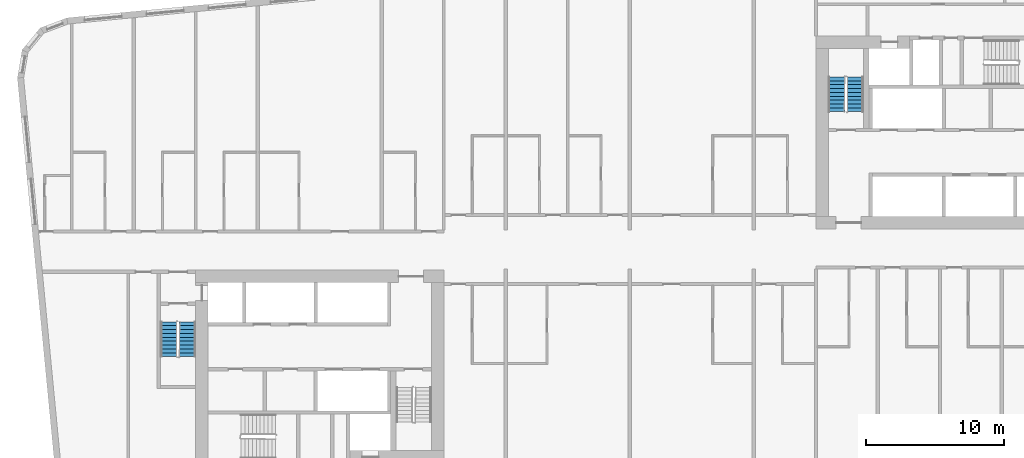
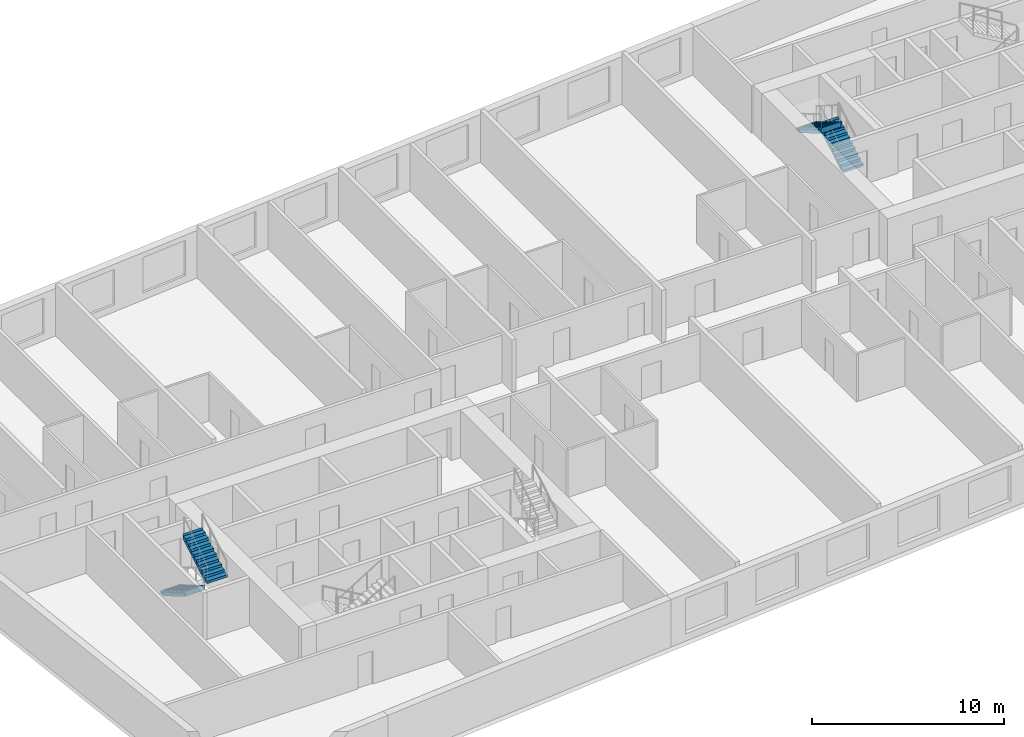
# One storey, part 10 of 12: 4 stair flights, 2 elements without a shape of their own.
"""IFC4 building model written with IfcOpenShell, lengths in metres."""

from ifc_helpers import new_model, si_unit, direction, frame, origin, place, context, subcontext, project, spatial, faceted_brep, material, type_object, element, aggregate, save


model = new_model("IFC4")

# Units and contexts
model_context = context("Model", 3, precision=1e-05, world=origin(), true_north=direction((0.0, 1.0)))
body_context = subcontext(model_context, "Body", "Model", "MODEL_VIEW")
ifc_project = project(units=[si_unit("LENGTHUNIT", "METRE"), si_unit("AREAUNIT", "SQUARE_METRE"), si_unit("VOLUMEUNIT", "CUBIC_METRE"), si_unit("PLANEANGLEUNIT", "RADIAN"), si_unit("MASSUNIT", "GRAM", prefix="KILO")], contexts=[model_context])

# Site, building, storey
site_placement = place(None, origin())
site = spatial("IfcSite", under=ifc_project, at=site_placement, CompositionType="ELEMENT")
building_placement = place(site_placement, origin())
building = spatial("IfcBuilding", under=site, at=building_placement, Name="Kajstack Hotel Tower", CompositionType="ELEMENT")
storey_placement = place(building_placement, frame((0.0, 0.0, 170.199951171875)))
storey = spatial("IfcBuildingStorey", under=building, at=storey_placement, Name="L39", CompositionType="ELEMENT", Elevation=170.199951171875)

# Stair, stair flights
ifc_material = material(Name="Concrete C40/50", Category="concrete")
stair_type = type_object("IfcStairType", Name="Exit stair 1200", PredefinedType="HALF_TURN_STAIR", material=ifc_material)
stair_1_placement = place(storey_placement, origin())
stair_1 = element("IfcStair", 1, at=stair_1_placement, inside=storey, type_object=stair_type, Name="L39 stair W1", PredefinedType="HALF_TURN_STAIR")
stair_flight_type = type_object("IfcStairFlightType", Name="Exit stair flight 1200", PredefinedType="STRAIGHT", material=ifc_material)
stair_flight_1_placement = place(storey_placement, frame((-33.449951171875, -5.25, 0.0), z_axis=(0.0, 0.0, 1.0), x_axis=(0.0, -1.0, 0.0)))
stair_flight_1 = element("IfcStairFlight", 2, at=stair_flight_1_placement, type_object=stair_flight_type, Name="W1 flight 1", NumberOfRisers=10, NumberOfTreads=9, PredefinedType="STRAIGHT", RiserHeight=0.165, TreadLength=0.28, context=body_context, shape_type="Brep", body=[
    faceted_brep([(0.295654296875, -0.60009765625, 0.0), (2.5205078125, -0.60009765625, 1.31103515625), (2.5205078125, -0.60009765625, 1.64990234375), (2.52001953125, -0.60009765625, 1.64990234375), (2.52001953125, -0.60009765625, 1.485107421875), (2.239990234375, -0.60009765625, 1.485107421875), (2.239990234375, -0.60009765625, 1.320068359375), (1.9599609375, -0.60009765625, 1.320068359375), (1.9599609375, -0.60009765625, 1.155029296875), (1.679931640625, -0.60009765625, 1.155029296875), (1.679931640625, -0.60009765625, 0.989990234375), (1.39990234375, -0.60009765625, 0.989990234375), (1.39990234375, -0.60009765625, 0.824951171875), (1.1201171875, -0.60009765625, 0.824951171875), (1.1201171875, -0.60009765625, 0.659912109375), (0.840087890625, -0.60009765625, 0.659912109375), (0.840087890625, -0.60009765625, 0.4951171875), (0.56005859375, -0.60009765625, 0.4951171875), (0.56005859375, -0.60009765625, 0.330078125), (0.280029296875, -0.60009765625, 0.330078125), (0.280029296875, -0.60009765625, 0.1650390625), (-0.00048828125, -0.60009765625, 0.1650390625), (-0.00048828125, -0.60009765625, 0.0), (-0.00048828125, 0.60009765625, 0.0), (-0.00048828125, 0.60009765625, 0.1650390625), (0.280029296875, 0.60009765625, 0.1650390625), (0.280029296875, 0.60009765625, 0.330078125), (0.56005859375, 0.60009765625, 0.330078125), (0.56005859375, 0.60009765625, 0.4951171875), (0.840087890625, 0.60009765625, 0.4951171875), (0.840087890625, 0.60009765625, 0.659912109375), (1.1201171875, 0.60009765625, 0.659912109375), (1.1201171875, 0.60009765625, 0.824951171875), (1.39990234375, 0.60009765625, 0.824951171875), (1.39990234375, 0.60009765625, 0.989990234375), (1.679931640625, 0.60009765625, 0.989990234375), (1.679931640625, 0.60009765625, 1.155029296875), (1.9599609375, 0.60009765625, 1.155029296875), (1.9599609375, 0.60009765625, 1.320068359375), (2.239990234375, 0.60009765625, 1.320068359375), (2.239990234375, 0.60009765625, 1.485107421875), (2.52001953125, 0.60009765625, 1.485107421875), (2.52001953125, 0.60009765625, 1.64990234375), (2.5205078125, 0.60009765625, 1.64990234375), (2.5205078125, 0.60009765625, 1.31103515625), (0.295654296875, 0.60009765625, 0.0), (-0.00048828125, -0.300048828125, 0.1650390625), (-0.00048828125, 0.0, 0.1650390625), (-0.00048828125, 0.300048828125, 0.1650390625), (-0.00048828125, 0.300048828125, 0.0), (-0.00048828125, 0.0, 0.0), (-0.00048828125, -0.300048828125, 0.0), (0.280029296875, -0.300048828125, 0.1650390625), (0.280029296875, 0.0, 0.1650390625), (0.280029296875, 0.300048828125, 0.1650390625), (0.280029296875, -0.300048828125, 0.330078125), (0.280029296875, 0.0, 0.330078125), (0.280029296875, 0.300048828125, 0.330078125), (0.56005859375, -0.300048828125, 0.330078125), (0.56005859375, 0.0, 0.330078125), (0.56005859375, 0.300048828125, 0.330078125), (0.56005859375, -0.300048828125, 0.4951171875), (0.56005859375, 0.0, 0.4951171875), (0.56005859375, 0.300048828125, 0.4951171875), (0.840087890625, -0.300048828125, 0.4951171875), (0.840087890625, 0.0, 0.4951171875), (0.840087890625, 0.300048828125, 0.4951171875), (0.840087890625, -0.300048828125, 0.659912109375), (0.840087890625, 0.0, 0.659912109375), (0.840087890625, 0.300048828125, 0.659912109375), (1.1201171875, -0.300048828125, 0.659912109375), (1.1201171875, 0.0, 0.659912109375), (1.1201171875, 0.300048828125, 0.659912109375), (1.1201171875, -0.300048828125, 0.824951171875), (1.1201171875, 0.0, 0.824951171875), (1.1201171875, 0.300048828125, 0.824951171875), (1.39990234375, -0.300048828125, 0.824951171875), (1.39990234375, 0.0, 0.824951171875), (1.39990234375, 0.300048828125, 0.824951171875), (1.39990234375, -0.300048828125, 0.989990234375), (1.39990234375, 0.0, 0.989990234375), (1.39990234375, 0.300048828125, 0.989990234375), (1.679931640625, -0.300048828125, 0.989990234375), (1.679931640625, 0.0, 0.989990234375), (1.679931640625, 0.300048828125, 0.989990234375), (1.679931640625, -0.300048828125, 1.155029296875), (1.679931640625, 0.0, 1.155029296875), (1.679931640625, 0.300048828125, 1.155029296875), (1.9599609375, -0.300048828125, 1.155029296875), (1.9599609375, 0.0, 1.155029296875), (1.9599609375, 0.300048828125, 1.155029296875), (1.9599609375, -0.300048828125, 1.320068359375), (1.9599609375, 0.0, 1.320068359375), (1.9599609375, 0.300048828125, 1.320068359375), (2.239990234375, -0.300048828125, 1.320068359375), (2.239990234375, 0.0, 1.320068359375), (2.239990234375, 0.300048828125, 1.320068359375), (2.239990234375, -0.300048828125, 1.485107421875), (2.239990234375, 0.0, 1.485107421875), (2.239990234375, 0.300048828125, 1.485107421875), (2.52001953125, -0.300048828125, 1.485107421875), (2.52001953125, 0.0, 1.485107421875), (2.52001953125, 0.300048828125, 1.485107421875), (2.52001953125, -0.300048828125, 1.64990234375), (2.52001953125, 0.0, 1.64990234375), (2.52001953125, 0.300048828125, 1.64990234375), (2.5205078125, -0.300048828125, 1.64990234375), (2.5205078125, 0.0, 1.64990234375), (2.5205078125, 0.300048828125, 1.64990234375), (2.5205078125, -0.300048828125, 1.31103515625), (2.5205078125, 0.0, 1.31103515625), (2.5205078125, 0.300048828125, 1.31103515625), (0.295654296875, -0.300048828125, 0.0), (0.295654296875, 0.0, 0.0), (0.295654296875, 0.300048828125, 0.0)], [[[0, 1, 2, 3, 4, 5, 6, 7, 8, 9, 10, 11, 12, 13, 14, 15, 16, 17, 18, 19, 20, 21, 22]], [[23, 24, 25, 26, 27, 28, 29, 30, 31, 32, 33, 34, 35, 36, 37, 38, 39, 40, 41, 42, 43, 44, 45]], [[21, 46, 47, 48, 24, 23, 49, 50, 51, 22]], [[20, 52, 53, 54, 25, 24, 48, 47, 46, 21]], [[19, 55, 56, 57, 26, 25, 54, 53, 52, 20]], [[18, 58, 59, 60, 27, 26, 57, 56, 55, 19]], [[17, 61, 62, 63, 28, 27, 60, 59, 58, 18]], [[16, 64, 65, 66, 29, 28, 63, 62, 61, 17]], [[15, 67, 68, 69, 30, 29, 66, 65, 64, 16]], [[14, 70, 71, 72, 31, 30, 69, 68, 67, 15]], [[13, 73, 74, 75, 32, 31, 72, 71, 70, 14]], [[12, 76, 77, 78, 33, 32, 75, 74, 73, 13]], [[11, 79, 80, 81, 34, 33, 78, 77, 76, 12]], [[10, 82, 83, 84, 35, 34, 81, 80, 79, 11]], [[9, 85, 86, 87, 36, 35, 84, 83, 82, 10]], [[8, 88, 89, 90, 37, 36, 87, 86, 85, 9]], [[7, 91, 92, 93, 38, 37, 90, 89, 88, 8]], [[6, 94, 95, 96, 39, 38, 93, 92, 91, 7]], [[5, 97, 98, 99, 40, 39, 96, 95, 94, 6]], [[4, 100, 101, 102, 41, 40, 99, 98, 97, 5]], [[3, 103, 104, 105, 42, 41, 102, 101, 100, 4]], [[2, 106, 107, 108, 43, 42, 105, 104, 103, 3]], [[1, 109, 110, 111, 44, 43, 108, 107, 106, 2]], [[0, 112, 113, 114, 45, 44, 111, 110, 109, 1]], [[22, 51, 50, 49, 23, 45, 114, 113, 112, 0]]]),
])
stair_flight_2_placement = place(storey_placement, frame((-32.10009765625, -7.77001953125, 1.650146484375), z_axis=(0.0, 0.0, 1.0), x_axis=(0.0, 1.0, 0.0)))
stair_flight_2 = element("IfcStairFlight", 3, at=stair_flight_2_placement, type_object=stair_flight_type, Name="W1 flight 2", NumberOfRisers=10, NumberOfTreads=9, PredefinedType="STRAIGHT", RiserHeight=0.165, TreadLength=0.28, context=body_context, shape_type="Brep", body=[
    faceted_brep([(0.295654296875, -0.60009765625, 0.0), (2.5205078125, -0.60009765625, 1.31103515625), (2.5205078125, -0.60009765625, 1.64990234375), (2.52001953125, -0.60009765625, 1.64990234375), (2.52001953125, -0.60009765625, 1.485107421875), (2.239990234375, -0.60009765625, 1.485107421875), (2.239990234375, -0.60009765625, 1.320068359375), (1.9599609375, -0.60009765625, 1.320068359375), (1.9599609375, -0.60009765625, 1.155029296875), (1.679931640625, -0.60009765625, 1.155029296875), (1.679931640625, -0.60009765625, 0.989990234375), (1.39990234375, -0.60009765625, 0.989990234375), (1.39990234375, -0.60009765625, 0.824951171875), (1.1201171875, -0.60009765625, 0.824951171875), (1.1201171875, -0.60009765625, 0.659912109375), (0.840087890625, -0.60009765625, 0.659912109375), (0.840087890625, -0.60009765625, 0.4951171875), (0.56005859375, -0.60009765625, 0.4951171875), (0.56005859375, -0.60009765625, 0.330078125), (0.280029296875, -0.60009765625, 0.330078125), (0.280029296875, -0.60009765625, 0.1650390625), (-0.00048828125, -0.60009765625, 0.1650390625), (-0.00048828125, -0.60009765625, 0.0), (-0.00048828125, 0.60009765625, 0.0), (-0.00048828125, 0.60009765625, 0.1650390625), (0.280029296875, 0.60009765625, 0.1650390625), (0.280029296875, 0.60009765625, 0.330078125), (0.56005859375, 0.60009765625, 0.330078125), (0.56005859375, 0.60009765625, 0.4951171875), (0.840087890625, 0.60009765625, 0.4951171875), (0.840087890625, 0.60009765625, 0.659912109375), (1.1201171875, 0.60009765625, 0.659912109375), (1.1201171875, 0.60009765625, 0.824951171875), (1.39990234375, 0.60009765625, 0.824951171875), (1.39990234375, 0.60009765625, 0.989990234375), (1.679931640625, 0.60009765625, 0.989990234375), (1.679931640625, 0.60009765625, 1.155029296875), (1.9599609375, 0.60009765625, 1.155029296875), (1.9599609375, 0.60009765625, 1.320068359375), (2.239990234375, 0.60009765625, 1.320068359375), (2.239990234375, 0.60009765625, 1.485107421875), (2.52001953125, 0.60009765625, 1.485107421875), (2.52001953125, 0.60009765625, 1.64990234375), (2.5205078125, 0.60009765625, 1.64990234375), (2.5205078125, 0.60009765625, 1.31103515625), (0.295654296875, 0.60009765625, 0.0), (-0.00048828125, -0.300048828125, 0.1650390625), (-0.00048828125, 0.0, 0.1650390625), (-0.00048828125, 0.300048828125, 0.1650390625), (-0.00048828125, 0.300048828125, 0.0), (-0.00048828125, 0.0, 0.0), (-0.00048828125, -0.300048828125, 0.0), (0.280029296875, -0.300048828125, 0.1650390625), (0.280029296875, 0.0, 0.1650390625), (0.280029296875, 0.300048828125, 0.1650390625), (0.280029296875, -0.300048828125, 0.330078125), (0.280029296875, 0.0, 0.330078125), (0.280029296875, 0.300048828125, 0.330078125), (0.56005859375, -0.300048828125, 0.330078125), (0.56005859375, 0.0, 0.330078125), (0.56005859375, 0.300048828125, 0.330078125), (0.56005859375, -0.300048828125, 0.4951171875), (0.56005859375, 0.0, 0.4951171875), (0.56005859375, 0.300048828125, 0.4951171875), (0.840087890625, -0.300048828125, 0.4951171875), (0.840087890625, 0.0, 0.4951171875), (0.840087890625, 0.300048828125, 0.4951171875), (0.840087890625, -0.300048828125, 0.659912109375), (0.840087890625, 0.0, 0.659912109375), (0.840087890625, 0.300048828125, 0.659912109375), (1.1201171875, -0.300048828125, 0.659912109375), (1.1201171875, 0.0, 0.659912109375), (1.1201171875, 0.300048828125, 0.659912109375), (1.1201171875, -0.300048828125, 0.824951171875), (1.1201171875, 0.0, 0.824951171875), (1.1201171875, 0.300048828125, 0.824951171875), (1.39990234375, -0.300048828125, 0.824951171875), (1.39990234375, 0.0, 0.824951171875), (1.39990234375, 0.300048828125, 0.824951171875), (1.39990234375, -0.300048828125, 0.989990234375), (1.39990234375, 0.0, 0.989990234375), (1.39990234375, 0.300048828125, 0.989990234375), (1.679931640625, -0.300048828125, 0.989990234375), (1.679931640625, 0.0, 0.989990234375), (1.679931640625, 0.300048828125, 0.989990234375), (1.679931640625, -0.300048828125, 1.155029296875), (1.679931640625, 0.0, 1.155029296875), (1.679931640625, 0.300048828125, 1.155029296875), (1.9599609375, -0.300048828125, 1.155029296875), (1.9599609375, 0.0, 1.155029296875), (1.9599609375, 0.300048828125, 1.155029296875), (1.9599609375, -0.300048828125, 1.320068359375), (1.9599609375, 0.0, 1.320068359375), (1.9599609375, 0.300048828125, 1.320068359375), (2.239990234375, -0.300048828125, 1.320068359375), (2.239990234375, 0.0, 1.320068359375), (2.239990234375, 0.300048828125, 1.320068359375), (2.239990234375, -0.300048828125, 1.485107421875), (2.239990234375, 0.0, 1.485107421875), (2.239990234375, 0.300048828125, 1.485107421875), (2.52001953125, -0.300048828125, 1.485107421875), (2.52001953125, 0.0, 1.485107421875), (2.52001953125, 0.300048828125, 1.485107421875), (2.52001953125, -0.300048828125, 1.64990234375), (2.52001953125, 0.0, 1.64990234375), (2.52001953125, 0.300048828125, 1.64990234375), (2.5205078125, -0.300048828125, 1.64990234375), (2.5205078125, 0.0, 1.64990234375), (2.5205078125, 0.300048828125, 1.64990234375), (2.5205078125, -0.300048828125, 1.31103515625), (2.5205078125, 0.0, 1.31103515625), (2.5205078125, 0.300048828125, 1.31103515625), (0.295654296875, -0.300048828125, 0.0), (0.295654296875, 0.0, 0.0), (0.295654296875, 0.300048828125, 0.0)], [[[0, 1, 2, 3, 4, 5, 6, 7, 8, 9, 10, 11, 12, 13, 14, 15, 16, 17, 18, 19, 20, 21, 22]], [[23, 24, 25, 26, 27, 28, 29, 30, 31, 32, 33, 34, 35, 36, 37, 38, 39, 40, 41, 42, 43, 44, 45]], [[21, 46, 47, 48, 24, 23, 49, 50, 51, 22]], [[20, 52, 53, 54, 25, 24, 48, 47, 46, 21]], [[19, 55, 56, 57, 26, 25, 54, 53, 52, 20]], [[18, 58, 59, 60, 27, 26, 57, 56, 55, 19]], [[17, 61, 62, 63, 28, 27, 60, 59, 58, 18]], [[16, 64, 65, 66, 29, 28, 63, 62, 61, 17]], [[15, 67, 68, 69, 30, 29, 66, 65, 64, 16]], [[14, 70, 71, 72, 31, 30, 69, 68, 67, 15]], [[13, 73, 74, 75, 32, 31, 72, 71, 70, 14]], [[12, 76, 77, 78, 33, 32, 75, 74, 73, 13]], [[11, 79, 80, 81, 34, 33, 78, 77, 76, 12]], [[10, 82, 83, 84, 35, 34, 81, 80, 79, 11]], [[9, 85, 86, 87, 36, 35, 84, 83, 82, 10]], [[8, 88, 89, 90, 37, 36, 87, 86, 85, 9]], [[7, 91, 92, 93, 38, 37, 90, 89, 88, 8]], [[6, 94, 95, 96, 39, 38, 93, 92, 91, 7]], [[5, 97, 98, 99, 40, 39, 96, 95, 94, 6]], [[4, 100, 101, 102, 41, 40, 99, 98, 97, 5]], [[3, 103, 104, 105, 42, 41, 102, 101, 100, 4]], [[2, 106, 107, 108, 43, 42, 105, 104, 103, 3]], [[1, 109, 110, 111, 44, 43, 108, 107, 106, 2]], [[0, 112, 113, 114, 45, 44, 111, 110, 109, 1]], [[22, 51, 50, 49, 23, 45, 114, 113, 112, 0]]]),
])
aggregate(stair_1, [stair_flight_1, stair_flight_2])

stair_2_placement = place(storey_placement, origin())
stair_2 = element("IfcStair", 4, at=stair_2_placement, inside=storey, type_object=stair_type, Name="L39 stair E2", PredefinedType="HALF_TURN_STAIR")
stair_flight_3_placement = place(storey_placement, frame((16.35009765625, 10.0, 0.0), z_axis=(0.0, 0.0, 1.0), x_axis=(0.0, 1.0, 0.0)))
stair_flight_3 = element("IfcStairFlight", 5, at=stair_flight_3_placement, type_object=stair_flight_type, Name="E2 flight 1", NumberOfRisers=10, NumberOfTreads=9, PredefinedType="STRAIGHT", RiserHeight=0.165, TreadLength=0.28, context=body_context, shape_type="Brep", body=[
    faceted_brep([(0.295654296875, -0.60009765625, 0.0), (2.5205078125, -0.60009765625, 1.31103515625), (2.5205078125, -0.60009765625, 1.64990234375), (2.52001953125, -0.60009765625, 1.64990234375), (2.52001953125, -0.60009765625, 1.485107421875), (2.239990234375, -0.60009765625, 1.485107421875), (2.239990234375, -0.60009765625, 1.320068359375), (1.9599609375, -0.60009765625, 1.320068359375), (1.9599609375, -0.60009765625, 1.155029296875), (1.679931640625, -0.60009765625, 1.155029296875), (1.679931640625, -0.60009765625, 0.989990234375), (1.39990234375, -0.60009765625, 0.989990234375), (1.39990234375, -0.60009765625, 0.824951171875), (1.1201171875, -0.60009765625, 0.824951171875), (1.1201171875, -0.60009765625, 0.659912109375), (0.840087890625, -0.60009765625, 0.659912109375), (0.840087890625, -0.60009765625, 0.4951171875), (0.56005859375, -0.60009765625, 0.4951171875), (0.56005859375, -0.60009765625, 0.330078125), (0.280029296875, -0.60009765625, 0.330078125), (0.280029296875, -0.60009765625, 0.1650390625), (-0.00048828125, -0.60009765625, 0.1650390625), (-0.00048828125, -0.60009765625, 0.0), (-0.00048828125, 0.60009765625, 0.0), (-0.00048828125, 0.60009765625, 0.1650390625), (0.280029296875, 0.60009765625, 0.1650390625), (0.280029296875, 0.60009765625, 0.330078125), (0.56005859375, 0.60009765625, 0.330078125), (0.56005859375, 0.60009765625, 0.4951171875), (0.840087890625, 0.60009765625, 0.4951171875), (0.840087890625, 0.60009765625, 0.659912109375), (1.1201171875, 0.60009765625, 0.659912109375), (1.1201171875, 0.60009765625, 0.824951171875), (1.39990234375, 0.60009765625, 0.824951171875), (1.39990234375, 0.60009765625, 0.989990234375), (1.679931640625, 0.60009765625, 0.989990234375), (1.679931640625, 0.60009765625, 1.155029296875), (1.9599609375, 0.60009765625, 1.155029296875), (1.9599609375, 0.60009765625, 1.320068359375), (2.239990234375, 0.60009765625, 1.320068359375), (2.239990234375, 0.60009765625, 1.485107421875), (2.52001953125, 0.60009765625, 1.485107421875), (2.52001953125, 0.60009765625, 1.64990234375), (2.5205078125, 0.60009765625, 1.64990234375), (2.5205078125, 0.60009765625, 1.31103515625), (0.295654296875, 0.60009765625, 0.0), (-0.00048828125, -0.300048828125, 0.1650390625), (-0.00048828125, 0.0, 0.1650390625), (-0.00048828125, 0.300048828125, 0.1650390625), (-0.00048828125, 0.300048828125, 0.0), (-0.00048828125, 0.0, 0.0), (-0.00048828125, -0.300048828125, 0.0), (0.280029296875, -0.300048828125, 0.1650390625), (0.280029296875, 0.0, 0.1650390625), (0.280029296875, 0.300048828125, 0.1650390625), (0.280029296875, -0.300048828125, 0.330078125), (0.280029296875, 0.0, 0.330078125), (0.280029296875, 0.300048828125, 0.330078125), (0.56005859375, -0.300048828125, 0.330078125), (0.56005859375, 0.0, 0.330078125), (0.56005859375, 0.300048828125, 0.330078125), (0.56005859375, -0.300048828125, 0.4951171875), (0.56005859375, 0.0, 0.4951171875), (0.56005859375, 0.300048828125, 0.4951171875), (0.840087890625, -0.300048828125, 0.4951171875), (0.840087890625, 0.0, 0.4951171875), (0.840087890625, 0.300048828125, 0.4951171875), (0.840087890625, -0.300048828125, 0.659912109375), (0.840087890625, 0.0, 0.659912109375), (0.840087890625, 0.300048828125, 0.659912109375), (1.1201171875, -0.300048828125, 0.659912109375), (1.1201171875, 0.0, 0.659912109375), (1.1201171875, 0.300048828125, 0.659912109375), (1.1201171875, -0.300048828125, 0.824951171875), (1.1201171875, 0.0, 0.824951171875), (1.1201171875, 0.300048828125, 0.824951171875), (1.39990234375, -0.300048828125, 0.824951171875), (1.39990234375, 0.0, 0.824951171875), (1.39990234375, 0.300048828125, 0.824951171875), (1.39990234375, -0.300048828125, 0.989990234375), (1.39990234375, 0.0, 0.989990234375), (1.39990234375, 0.300048828125, 0.989990234375), (1.679931640625, -0.300048828125, 0.989990234375), (1.679931640625, 0.0, 0.989990234375), (1.679931640625, 0.300048828125, 0.989990234375), (1.679931640625, -0.300048828125, 1.155029296875), (1.679931640625, 0.0, 1.155029296875), (1.679931640625, 0.300048828125, 1.155029296875), (1.9599609375, -0.300048828125, 1.155029296875), (1.9599609375, 0.0, 1.155029296875), (1.9599609375, 0.300048828125, 1.155029296875), (1.9599609375, -0.300048828125, 1.320068359375), (1.9599609375, 0.0, 1.320068359375), (1.9599609375, 0.300048828125, 1.320068359375), (2.239990234375, -0.300048828125, 1.320068359375), (2.239990234375, 0.0, 1.320068359375), (2.239990234375, 0.300048828125, 1.320068359375), (2.239990234375, -0.300048828125, 1.485107421875), (2.239990234375, 0.0, 1.485107421875), (2.239990234375, 0.300048828125, 1.485107421875), (2.52001953125, -0.300048828125, 1.485107421875), (2.52001953125, 0.0, 1.485107421875), (2.52001953125, 0.300048828125, 1.485107421875), (2.52001953125, -0.300048828125, 1.64990234375), (2.52001953125, 0.0, 1.64990234375), (2.52001953125, 0.300048828125, 1.64990234375), (2.5205078125, -0.300048828125, 1.64990234375), (2.5205078125, 0.0, 1.64990234375), (2.5205078125, 0.300048828125, 1.64990234375), (2.5205078125, -0.300048828125, 1.31103515625), (2.5205078125, 0.0, 1.31103515625), (2.5205078125, 0.300048828125, 1.31103515625), (0.295654296875, -0.300048828125, 0.0), (0.295654296875, 0.0, 0.0), (0.295654296875, 0.300048828125, 0.0)], [[[0, 1, 2, 3, 4, 5, 6, 7, 8, 9, 10, 11, 12, 13, 14, 15, 16, 17, 18, 19, 20, 21, 22]], [[23, 24, 25, 26, 27, 28, 29, 30, 31, 32, 33, 34, 35, 36, 37, 38, 39, 40, 41, 42, 43, 44, 45]], [[21, 46, 47, 48, 24, 23, 49, 50, 51, 22]], [[20, 52, 53, 54, 25, 24, 48, 47, 46, 21]], [[19, 55, 56, 57, 26, 25, 54, 53, 52, 20]], [[18, 58, 59, 60, 27, 26, 57, 56, 55, 19]], [[17, 61, 62, 63, 28, 27, 60, 59, 58, 18]], [[16, 64, 65, 66, 29, 28, 63, 62, 61, 17]], [[15, 67, 68, 69, 30, 29, 66, 65, 64, 16]], [[14, 70, 71, 72, 31, 30, 69, 68, 67, 15]], [[13, 73, 74, 75, 32, 31, 72, 71, 70, 14]], [[12, 76, 77, 78, 33, 32, 75, 74, 73, 13]], [[11, 79, 80, 81, 34, 33, 78, 77, 76, 12]], [[10, 82, 83, 84, 35, 34, 81, 80, 79, 11]], [[9, 85, 86, 87, 36, 35, 84, 83, 82, 10]], [[8, 88, 89, 90, 37, 36, 87, 86, 85, 9]], [[7, 91, 92, 93, 38, 37, 90, 89, 88, 8]], [[6, 94, 95, 96, 39, 38, 93, 92, 91, 7]], [[5, 97, 98, 99, 40, 39, 96, 95, 94, 6]], [[4, 100, 101, 102, 41, 40, 99, 98, 97, 5]], [[3, 103, 104, 105, 42, 41, 102, 101, 100, 4]], [[2, 106, 107, 108, 43, 42, 105, 104, 103, 3]], [[1, 109, 110, 111, 44, 43, 108, 107, 106, 2]], [[0, 112, 113, 114, 45, 44, 111, 110, 109, 1]], [[22, 51, 50, 49, 23, 45, 114, 113, 112, 0]]]),
])
stair_flight_4_placement = place(storey_placement, frame((15.0, 12.52001953125, 1.650146484375), z_axis=(0.0, 0.0, 1.0), x_axis=(0.0, -1.0, 0.0)))
stair_flight_4 = element("IfcStairFlight", 6, at=stair_flight_4_placement, type_object=stair_flight_type, Name="E2 flight 2", NumberOfRisers=10, NumberOfTreads=9, PredefinedType="STRAIGHT", RiserHeight=0.165, TreadLength=0.28, context=body_context, shape_type="Brep", body=[
    faceted_brep([(0.295654296875, -0.60009765625, 0.0), (2.5205078125, -0.60009765625, 1.31103515625), (2.5205078125, -0.60009765625, 1.64990234375), (2.52001953125, -0.60009765625, 1.64990234375), (2.52001953125, -0.60009765625, 1.485107421875), (2.239990234375, -0.60009765625, 1.485107421875), (2.239990234375, -0.60009765625, 1.320068359375), (1.9599609375, -0.60009765625, 1.320068359375), (1.9599609375, -0.60009765625, 1.155029296875), (1.679931640625, -0.60009765625, 1.155029296875), (1.679931640625, -0.60009765625, 0.989990234375), (1.39990234375, -0.60009765625, 0.989990234375), (1.39990234375, -0.60009765625, 0.824951171875), (1.1201171875, -0.60009765625, 0.824951171875), (1.1201171875, -0.60009765625, 0.659912109375), (0.840087890625, -0.60009765625, 0.659912109375), (0.840087890625, -0.60009765625, 0.4951171875), (0.56005859375, -0.60009765625, 0.4951171875), (0.56005859375, -0.60009765625, 0.330078125), (0.280029296875, -0.60009765625, 0.330078125), (0.280029296875, -0.60009765625, 0.1650390625), (-0.00048828125, -0.60009765625, 0.1650390625), (-0.00048828125, -0.60009765625, 0.0), (-0.00048828125, 0.60009765625, 0.0), (-0.00048828125, 0.60009765625, 0.1650390625), (0.280029296875, 0.60009765625, 0.1650390625), (0.280029296875, 0.60009765625, 0.330078125), (0.56005859375, 0.60009765625, 0.330078125), (0.56005859375, 0.60009765625, 0.4951171875), (0.840087890625, 0.60009765625, 0.4951171875), (0.840087890625, 0.60009765625, 0.659912109375), (1.1201171875, 0.60009765625, 0.659912109375), (1.1201171875, 0.60009765625, 0.824951171875), (1.39990234375, 0.60009765625, 0.824951171875), (1.39990234375, 0.60009765625, 0.989990234375), (1.679931640625, 0.60009765625, 0.989990234375), (1.679931640625, 0.60009765625, 1.155029296875), (1.9599609375, 0.60009765625, 1.155029296875), (1.9599609375, 0.60009765625, 1.320068359375), (2.239990234375, 0.60009765625, 1.320068359375), (2.239990234375, 0.60009765625, 1.485107421875), (2.52001953125, 0.60009765625, 1.485107421875), (2.52001953125, 0.60009765625, 1.64990234375), (2.5205078125, 0.60009765625, 1.64990234375), (2.5205078125, 0.60009765625, 1.31103515625), (0.295654296875, 0.60009765625, 0.0), (-0.00048828125, -0.300048828125, 0.1650390625), (-0.00048828125, 0.0, 0.1650390625), (-0.00048828125, 0.300048828125, 0.1650390625), (-0.00048828125, 0.300048828125, 0.0), (-0.00048828125, 0.0, 0.0), (-0.00048828125, -0.300048828125, 0.0), (0.280029296875, -0.300048828125, 0.1650390625), (0.280029296875, 0.0, 0.1650390625), (0.280029296875, 0.300048828125, 0.1650390625), (0.280029296875, -0.300048828125, 0.330078125), (0.280029296875, 0.0, 0.330078125), (0.280029296875, 0.300048828125, 0.330078125), (0.56005859375, -0.300048828125, 0.330078125), (0.56005859375, 0.0, 0.330078125), (0.56005859375, 0.300048828125, 0.330078125), (0.56005859375, -0.300048828125, 0.4951171875), (0.56005859375, 0.0, 0.4951171875), (0.56005859375, 0.300048828125, 0.4951171875), (0.840087890625, -0.300048828125, 0.4951171875), (0.840087890625, 0.0, 0.4951171875), (0.840087890625, 0.300048828125, 0.4951171875), (0.840087890625, -0.300048828125, 0.659912109375), (0.840087890625, 0.0, 0.659912109375), (0.840087890625, 0.300048828125, 0.659912109375), (1.1201171875, -0.300048828125, 0.659912109375), (1.1201171875, 0.0, 0.659912109375), (1.1201171875, 0.300048828125, 0.659912109375), (1.1201171875, -0.300048828125, 0.824951171875), (1.1201171875, 0.0, 0.824951171875), (1.1201171875, 0.300048828125, 0.824951171875), (1.39990234375, -0.300048828125, 0.824951171875), (1.39990234375, 0.0, 0.824951171875), (1.39990234375, 0.300048828125, 0.824951171875), (1.39990234375, -0.300048828125, 0.989990234375), (1.39990234375, 0.0, 0.989990234375), (1.39990234375, 0.300048828125, 0.989990234375), (1.679931640625, -0.300048828125, 0.989990234375), (1.679931640625, 0.0, 0.989990234375), (1.679931640625, 0.300048828125, 0.989990234375), (1.679931640625, -0.300048828125, 1.155029296875), (1.679931640625, 0.0, 1.155029296875), (1.679931640625, 0.300048828125, 1.155029296875), (1.9599609375, -0.300048828125, 1.155029296875), (1.9599609375, 0.0, 1.155029296875), (1.9599609375, 0.300048828125, 1.155029296875), (1.9599609375, -0.300048828125, 1.320068359375), (1.9599609375, 0.0, 1.320068359375), (1.9599609375, 0.300048828125, 1.320068359375), (2.239990234375, -0.300048828125, 1.320068359375), (2.239990234375, 0.0, 1.320068359375), (2.239990234375, 0.300048828125, 1.320068359375), (2.239990234375, -0.300048828125, 1.485107421875), (2.239990234375, 0.0, 1.485107421875), (2.239990234375, 0.300048828125, 1.485107421875), (2.52001953125, -0.300048828125, 1.485107421875), (2.52001953125, 0.0, 1.485107421875), (2.52001953125, 0.300048828125, 1.485107421875), (2.52001953125, -0.300048828125, 1.64990234375), (2.52001953125, 0.0, 1.64990234375), (2.52001953125, 0.300048828125, 1.64990234375), (2.5205078125, -0.300048828125, 1.64990234375), (2.5205078125, 0.0, 1.64990234375), (2.5205078125, 0.300048828125, 1.64990234375), (2.5205078125, -0.300048828125, 1.31103515625), (2.5205078125, 0.0, 1.31103515625), (2.5205078125, 0.300048828125, 1.31103515625), (0.295654296875, -0.300048828125, 0.0), (0.295654296875, 0.0, 0.0), (0.295654296875, 0.300048828125, 0.0)], [[[0, 1, 2, 3, 4, 5, 6, 7, 8, 9, 10, 11, 12, 13, 14, 15, 16, 17, 18, 19, 20, 21, 22]], [[23, 24, 25, 26, 27, 28, 29, 30, 31, 32, 33, 34, 35, 36, 37, 38, 39, 40, 41, 42, 43, 44, 45]], [[21, 46, 47, 48, 24, 23, 49, 50, 51, 22]], [[20, 52, 53, 54, 25, 24, 48, 47, 46, 21]], [[19, 55, 56, 57, 26, 25, 54, 53, 52, 20]], [[18, 58, 59, 60, 27, 26, 57, 56, 55, 19]], [[17, 61, 62, 63, 28, 27, 60, 59, 58, 18]], [[16, 64, 65, 66, 29, 28, 63, 62, 61, 17]], [[15, 67, 68, 69, 30, 29, 66, 65, 64, 16]], [[14, 70, 71, 72, 31, 30, 69, 68, 67, 15]], [[13, 73, 74, 75, 32, 31, 72, 71, 70, 14]], [[12, 76, 77, 78, 33, 32, 75, 74, 73, 13]], [[11, 79, 80, 81, 34, 33, 78, 77, 76, 12]], [[10, 82, 83, 84, 35, 34, 81, 80, 79, 11]], [[9, 85, 86, 87, 36, 35, 84, 83, 82, 10]], [[8, 88, 89, 90, 37, 36, 87, 86, 85, 9]], [[7, 91, 92, 93, 38, 37, 90, 89, 88, 8]], [[6, 94, 95, 96, 39, 38, 93, 92, 91, 7]], [[5, 97, 98, 99, 40, 39, 96, 95, 94, 6]], [[4, 100, 101, 102, 41, 40, 99, 98, 97, 5]], [[3, 103, 104, 105, 42, 41, 102, 101, 100, 4]], [[2, 106, 107, 108, 43, 42, 105, 104, 103, 3]], [[1, 109, 110, 111, 44, 43, 108, 107, 106, 2]], [[0, 112, 113, 114, 45, 44, 111, 110, 109, 1]], [[22, 51, 50, 49, 23, 45, 114, 113, 112, 0]]]),
])
aggregate(stair_2, [stair_flight_3, stair_flight_4])

save(model, "model.ifc")
